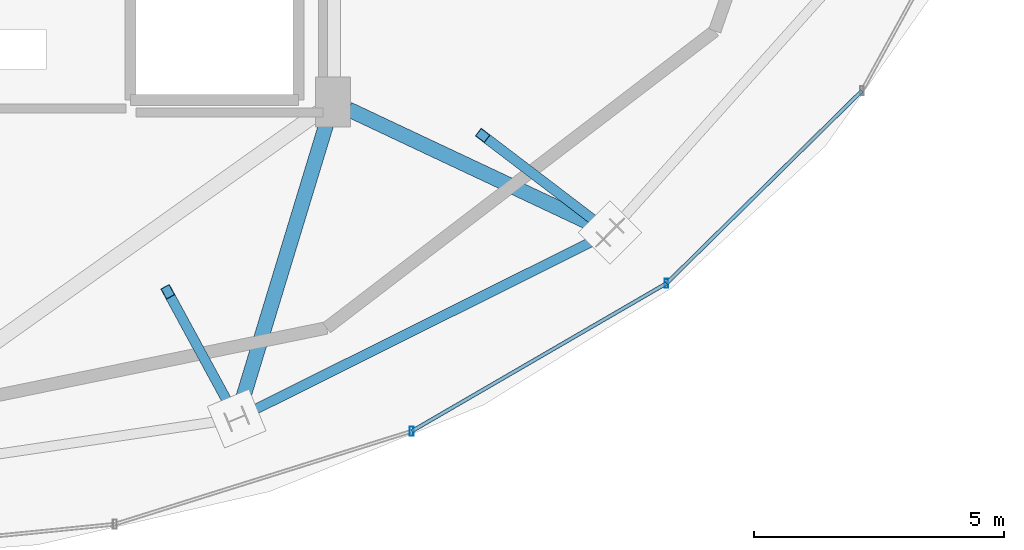
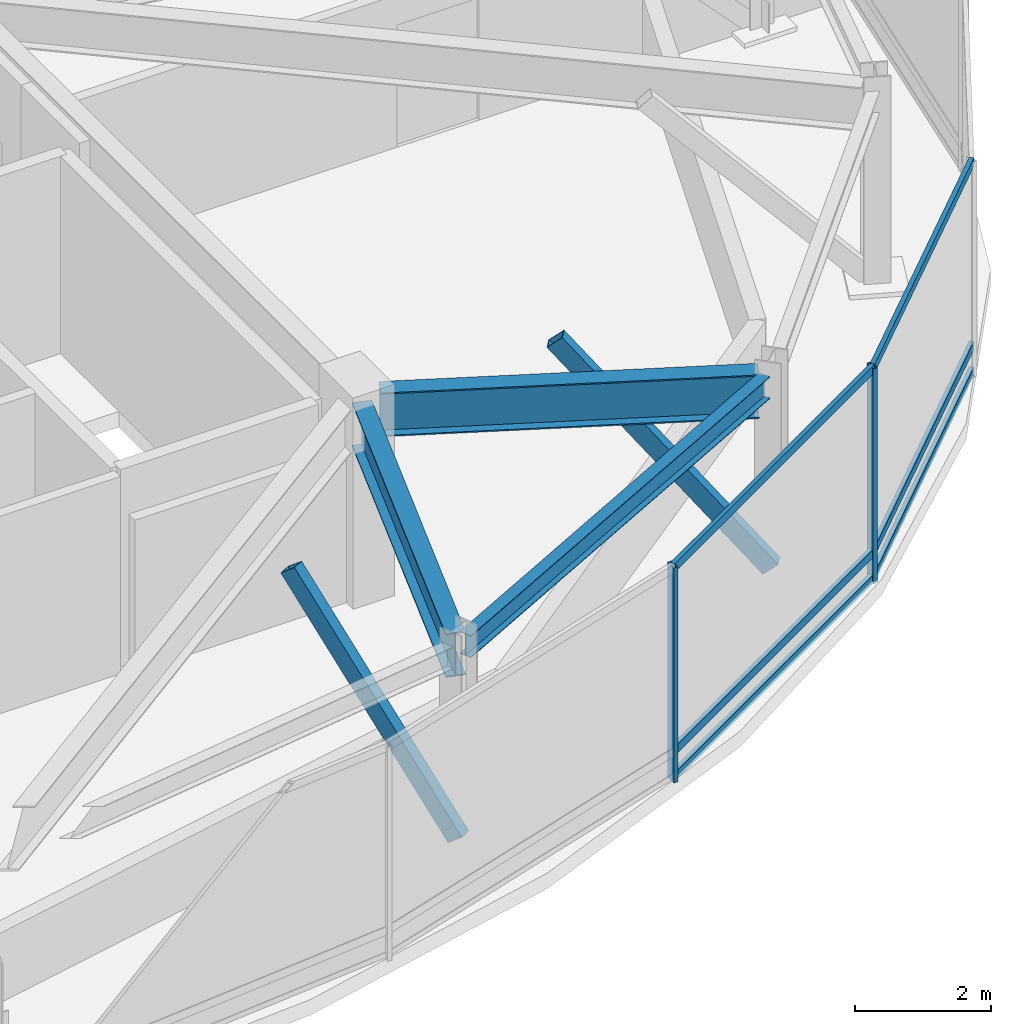
# One storey, part 12 of 28: 10 members, 3 beams, 1 element without a shape of its own.
"""IFC4 building model written with IfcOpenShell, lengths in metres."""

from ifc_helpers import new_model, si_unit, direction, frame, origin, origin_2d, place, context, subcontext, project, spatial, hollow_rectangle, i_section, extrude, material, material_profile, profile_set, type_object, element, aggregate, save


model = new_model("IFC4")

# Units and contexts
model_context = context("Model", 3, precision=1e-05, world=origin(), true_north=direction((0.0, 1.0)))
body_context = subcontext(model_context, "Body", "Model", "MODEL_VIEW")
ifc_project = project(units=[si_unit("LENGTHUNIT", "METRE"), si_unit("AREAUNIT", "SQUARE_METRE"), si_unit("VOLUMEUNIT", "CUBIC_METRE"), si_unit("PLANEANGLEUNIT", "RADIAN"), si_unit("MASSUNIT", "GRAM", prefix="KILO")], contexts=[model_context])

# Site, building, storey
site_placement = place(None, origin())
site = spatial("IfcSite", under=ifc_project, at=site_placement, CompositionType="ELEMENT")
building_placement = place(site_placement, origin())
building = spatial("IfcBuilding", under=site, at=building_placement, Name="Vorneva Point Tower", CompositionType="ELEMENT")
storey_placement = place(building_placement, frame((0.0, 0.0, 295.39990234375)))
storey = spatial("IfcBuildingStorey", under=building, at=storey_placement, Name="C01", CompositionType="ELEMENT", Elevation=295.39990234375)

# Beams
ifc_material_1 = material(Name="Steel S355", Category="steel")
ifc_material_profile_1 = material_profile(ifc_material_1, i_section(OverallWidth=0.300048828125, OverallDepth=0.7880859375, WebThickness=0.014404296875, FlangeThickness=0.02197265625, at=origin_2d()), Name="80Sh1")
ifc_profile_set_1 = profile_set([ifc_material_profile_1], Name="Steel S355")
beam_type_1 = type_object("IfcBeamType", Name="BM-GRD-80Sh1", PredefinedType="USERDEFINED", material=ifc_profile_set_1)
beam_1_placement = place(storey_placement, frame((46.87548828125, 10.289306640625, 3.156005859375), z_axis=(0.291069236027, 0.956701991133, 0.0), x_axis=(-0.956701991133, 0.291069236027, 0.0)))
element("IfcBeam", 1, at=beam_1_placement, inside=storey, type_object=beam_type_1, Name="C01 Radial Primary Girder 14", ObjectType="GIRDER", PredefinedType="USERDEFINED", context=body_context, shape_type="SweptSolid", body=[
    extrude(i_section(OverallWidth=0.300048828125, OverallDepth=0.7880859375, WebThickness=0.014404296875, FlangeThickness=0.02197265625, at=origin_2d()), origin(), (0.0, 0.0, 1.0), 6.099609375),
])
beam_2_placement = place(storey_placement, frame((54.128662109375, 13.91796875, 3.156005859375), z_axis=(-0.90476143816, 0.425918701185, 0.0), x_axis=(-0.425918701185, -0.90476143816, 0.0)))
element("IfcBeam", 2, at=beam_2_placement, inside=storey, type_object=beam_type_1, Name="C01 Radial Primary Girder 15", ObjectType="GIRDER", PredefinedType="USERDEFINED", context=body_context, shape_type="SweptSolid", body=[
    extrude(i_section(OverallWidth=0.300048828125, OverallDepth=0.7880859375, WebThickness=0.014404296875, FlangeThickness=0.02197265625, at=origin_2d()), origin(), (0.0, 0.0, 1.0), 5.604736328125),
])
ifc_material_profile_2 = material_profile(ifc_material_1, i_section(OverallWidth=0.198974609375, OverallDepth=0.39599609375, WebThickness=0.007080078125, FlangeThickness=0.010986328125, at=origin_2d()), Name="40B1")
ifc_profile_set_2 = profile_set([ifc_material_profile_2], Name="Steel S355")
beam_type_2 = type_object("IfcBeamType", Name="BM-SPN-40B1", PredefinedType="SPANDREL", material=ifc_profile_set_2)
beam_3_placement = place(storey_placement, frame((46.986572265625, 10.19189453125, 3.35205078125), z_axis=(0.894921902151, 0.446222802029, 0.0), x_axis=(-0.446222802029, 0.894921902151, 0.0)))
element("IfcBeam", 3, at=beam_3_placement, inside=storey, type_object=beam_type_2, Name="C01 Perimeter Spandrel Ring Beam 14", PredefinedType="SPANDREL", context=body_context, shape_type="SweptSolid", body=[
    extrude(i_section(OverallWidth=0.198974609375, OverallDepth=0.39599609375, WebThickness=0.007080078125, FlangeThickness=0.010986328125, at=origin_2d()), origin(), (0.0, 0.0, 1.0), 7.98583984375),
])

# Curtain wall, members
ifc_material_2 = material(Name="Pale anodised aluminium", Category="aluminium")
curtain_wall_type = type_object("IfcCurtainWallType", Name="CW-CRN-SYS", PredefinedType="NOTDEFINED", material=ifc_material_2)
curtain_wall_placement = place(storey_placement, origin())
curtain_wall = element("IfcCurtainWall", 4, at=curtain_wall_placement, inside=storey, type_object=curtain_wall_type, Name="C01 Unitised Curtain Wall CW-C01-Q4", PredefinedType="NOTDEFINED")
ifc_material_profile_3 = material_profile(ifc_material_2, hollow_rectangle(XDim=0.074951171875, YDim=0.179931640625, WallThickness=0.00390625, at=origin_2d()), Name="AL-MUL 180x75x4")
ifc_profile_set_3 = profile_set([ifc_material_profile_3], Name="Pale anodised aluminium")
member_type_1 = type_object("IfcMemberType", Name="CW-MUL-180", PredefinedType="MULLION", material=ifc_profile_set_3)
member_1_placement = place(storey_placement, frame((50.324951171875, 9.857421875, -0.039794921875), z_axis=(0.0, 0.0, 1.0), x_axis=(1.0, 0.0, 0.0)))
member_1 = element("IfcMember", 5, at=member_1_placement, type_object=member_type_1, Name="CW-C01-Q4 Mullion 03", PredefinedType="MULLION", context=body_context, shape_type="SweptSolid", body=[
    extrude(hollow_rectangle(XDim=0.074951171875, YDim=0.179931640625, WallThickness=0.00390625, at=origin_2d()), origin(), (0.0, 0.0, 1.0), 3.869873046875),
])
member_2_placement = place(storey_placement, frame((55.43017578125, 12.819580078125, -0.039794921875), z_axis=(0.0, 0.0, 1.0), x_axis=(1.0, 0.0, 0.0)))
member_2 = element("IfcMember", 6, at=member_2_placement, type_object=member_type_1, Name="CW-C01-Q4 Mullion 04", PredefinedType="MULLION", context=body_context, shape_type="SweptSolid", body=[
    extrude(hollow_rectangle(XDim=0.074951171875, YDim=0.179931640625, WallThickness=0.00390625, at=origin_2d()), origin(), (0.0, 0.0, 1.0), 3.869873046875),
])
ifc_material_profile_4 = material_profile(ifc_material_2, hollow_rectangle(XDim=0.074951171875, YDim=0.14990234375, WallThickness=0.00390625, at=origin_2d()), Name="AL-TRN 150x75x4")
ifc_profile_set_4 = profile_set([ifc_material_profile_4], Name="Pale anodised aluminium")
member_type_2 = type_object("IfcMemberType", Name="CW-TRN-150", PredefinedType="USERDEFINED", material=ifc_profile_set_4)
member_3_placement = place(storey_placement, frame((50.324951171875, 9.857421875, 0.02001953125), z_axis=(0.864948240348, 0.501861077908, 0.0), x_axis=(-0.501861077908, 0.864948240348, 0.0)))
member_3 = element("IfcMember", 7, at=member_3_placement, type_object=member_type_2, Name="CW-C01-Q4 Transom 03.1", ObjectType="TRANSOM", PredefinedType="USERDEFINED", context=body_context, shape_type="SweptSolid", body=[
    extrude(hollow_rectangle(XDim=0.074951171875, YDim=0.14990234375, WallThickness=0.00390625, at=origin_2d()), origin(), (0.0, 0.0, 1.0), 5.90234375),
])
member_4_placement = place(storey_placement, frame((50.324951171875, 9.857421875, 0.47998046875), z_axis=(0.864948240348, 0.501861077908, 0.0), x_axis=(-0.501861077908, 0.864948240348, 0.0)))
member_4 = element("IfcMember", 8, at=member_4_placement, type_object=member_type_2, Name="CW-C01-Q4 Transom 03.2", ObjectType="TRANSOM", PredefinedType="USERDEFINED", context=body_context, shape_type="SweptSolid", body=[
    extrude(hollow_rectangle(XDim=0.074951171875, YDim=0.14990234375, WallThickness=0.00390625, at=origin_2d()), origin(), (0.0, 0.0, 1.0), 5.90234375),
])
member_5_placement = place(storey_placement, frame((50.324951171875, 9.857421875, 3.780029296875), z_axis=(0.864948240348, 0.501861077908, 0.0), x_axis=(-0.501861077908, 0.864948240348, 0.0)))
member_5 = element("IfcMember", 9, at=member_5_placement, type_object=member_type_2, Name="CW-C01-Q4 Transom 03.3", ObjectType="TRANSOM", PredefinedType="USERDEFINED", context=body_context, shape_type="SweptSolid", body=[
    extrude(hollow_rectangle(XDim=0.074951171875, YDim=0.14990234375, WallThickness=0.00390625, at=origin_2d()), origin(), (0.0, 0.0, 1.0), 5.90234375),
])
member_6_placement = place(storey_placement, frame((55.43017578125, 12.819580078125, 0.02001953125), z_axis=(0.712259463198, 0.701916274982, 0.0), x_axis=(-0.701916274982, 0.712259463198, 0.0)))
member_6 = element("IfcMember", 10, at=member_6_placement, type_object=member_type_2, Name="CW-C01-Q4 Transom 04.1", ObjectType="TRANSOM", PredefinedType="USERDEFINED", context=body_context, shape_type="SweptSolid", body=[
    extrude(hollow_rectangle(XDim=0.074951171875, YDim=0.14990234375, WallThickness=0.00390625, at=origin_2d()), origin(), (0.0, 0.0, 1.0), 5.499755859375),
])
member_7_placement = place(storey_placement, frame((55.43017578125, 12.819580078125, 0.47998046875), z_axis=(0.712259463198, 0.701916274982, 0.0), x_axis=(-0.701916274982, 0.712259463198, 0.0)))
member_7 = element("IfcMember", 11, at=member_7_placement, type_object=member_type_2, Name="CW-C01-Q4 Transom 04.2", ObjectType="TRANSOM", PredefinedType="USERDEFINED", context=body_context, shape_type="SweptSolid", body=[
    extrude(hollow_rectangle(XDim=0.074951171875, YDim=0.14990234375, WallThickness=0.00390625, at=origin_2d()), origin(), (0.0, 0.0, 1.0), 5.499755859375),
])
member_8_placement = place(storey_placement, frame((55.43017578125, 12.819580078125, 3.780029296875), z_axis=(0.712259463198, 0.701916274982, 0.0), x_axis=(-0.701916274982, 0.712259463198, 0.0)))
member_8 = element("IfcMember", 12, at=member_8_placement, type_object=member_type_2, Name="CW-C01-Q4 Transom 04.3", ObjectType="TRANSOM", PredefinedType="USERDEFINED", context=body_context, shape_type="SweptSolid", body=[
    extrude(hollow_rectangle(XDim=0.074951171875, YDim=0.14990234375, WallThickness=0.00390625, at=origin_2d()), origin(), (0.0, 0.0, 1.0), 5.499755859375),
])
aggregate(curtain_wall, [member_1, member_2, member_3, member_4, member_5, member_6, member_7, member_8])

# Members
ifc_material_profile_5 = material_profile(ifc_material_1, hollow_rectangle(XDim=0.199951171875, YDim=0.300048828125, WallThickness=0.011962890625, at=origin_2d()), Name="PP 300x200x12")
ifc_profile_set_5 = profile_set([ifc_material_profile_5], Name="Steel S355")
member_type_3 = type_object("IfcMemberType", Name="MBR-CRN-PP300", PredefinedType="CHORD", material=ifc_profile_set_5)
member_9_placement = place(storey_placement, frame((46.82080078125, 10.109375, 0.0), z_axis=(-0.289133296145, 0.532046167938, 0.795819585235), x_axis=(-0.878639911504, -0.477484979777, 0.0)))
element("IfcMember", 13, at=member_9_placement, inside=storey, type_object=member_type_3, Name="Crown Tapered Frame Rib C01-14", PredefinedType="CHORD", context=body_context, shape_type="SweptSolid", body=[
    extrude(hollow_rectangle(XDim=0.199951171875, YDim=0.300048828125, WallThickness=0.011962890625, at=origin_2d()), origin(), (0.0, 0.0, 1.0), 4.77490234375),
])
member_10_placement = place(storey_placement, frame((54.298828125, 13.837890625, 0.0), z_axis=(-0.513033981521, 0.390985897496, 0.764150614581), x_axis=(-0.606144108683, -0.795354838741, 0.0)))
element("IfcMember", 14, at=member_10_placement, inside=storey, type_object=member_type_3, Name="Crown Tapered Frame Rib C01-15", PredefinedType="CHORD", context=body_context, shape_type="SweptSolid", body=[
    extrude(hollow_rectangle(XDim=0.199951171875, YDim=0.300048828125, WallThickness=0.011962890625, at=origin_2d()), origin(), (0.0, 0.0, 1.0), 4.972900390625),
])

save(model, "model.ifc")
